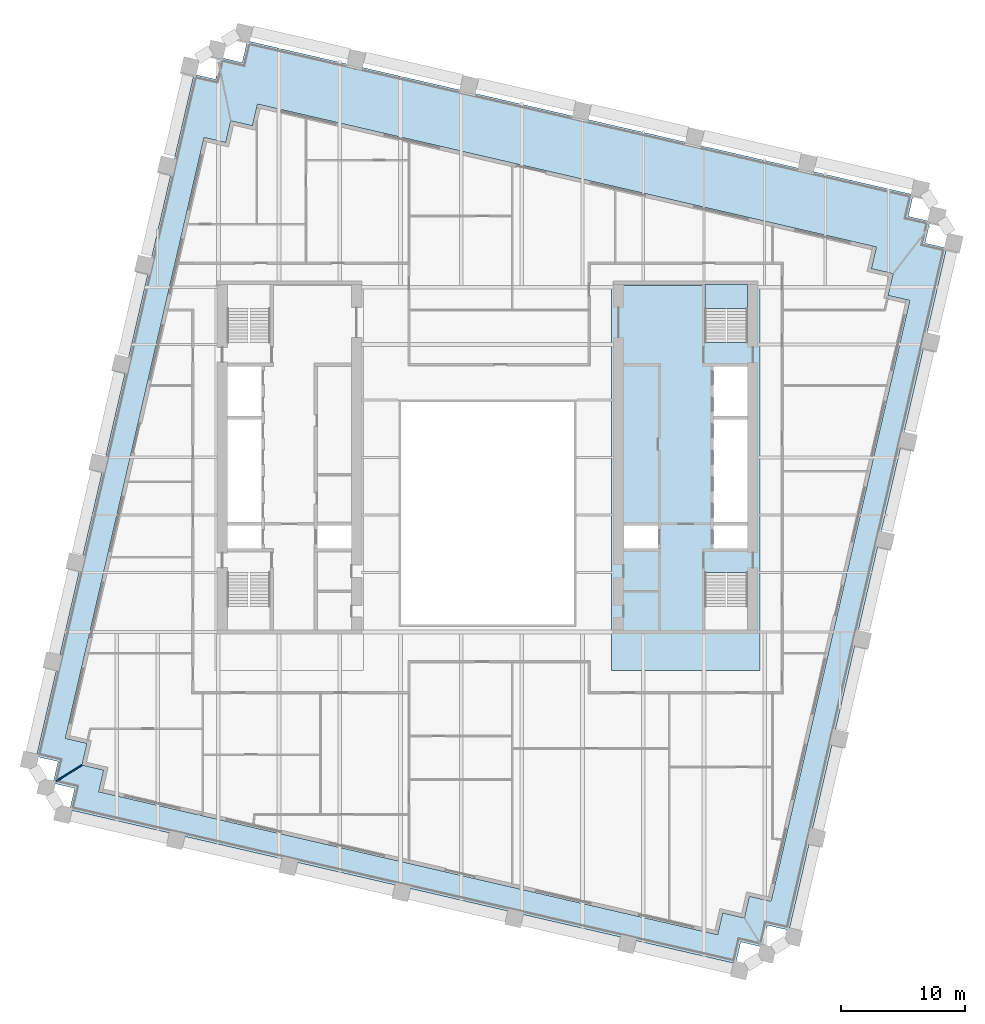
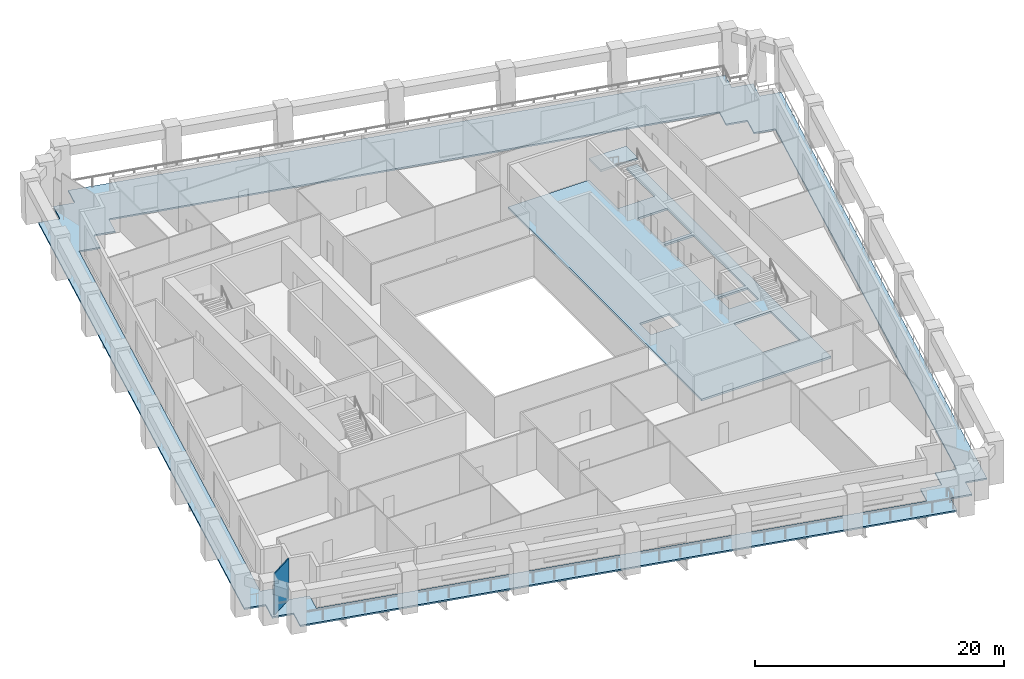
# One storey, part 3 of 12: 3 slabs, 1 wall, 1 element without a shape of its own.
"""IFC4 building model written with IfcOpenShell, lengths in metres."""

from ifc_helpers import new_model, si_unit, direction, frame, frame_2d, origin, place, context, subcontext, project, spatial, polyline, rectangle, outline, extrude, material, layer, layer_set, type_object, element, aggregate, save


model = new_model("IFC4")

# Units and contexts
model_context = context("Model", 3, precision=1e-05, world=origin(), true_north=direction((0.0, 1.0)))
body_context = subcontext(model_context, "Body", "Model", "MODEL_VIEW")
ifc_project = project(units=[si_unit("LENGTHUNIT", "METRE"), si_unit("AREAUNIT", "SQUARE_METRE"), si_unit("VOLUMEUNIT", "CUBIC_METRE"), si_unit("PLANEANGLEUNIT", "RADIAN"), si_unit("MASSUNIT", "GRAM", prefix="KILO")], contexts=[model_context])

# Site, building, storey
site_placement = place(None, origin())
site = spatial("IfcSite", under=ifc_project, at=site_placement, CompositionType="ELEMENT")
building_placement = place(site_placement, origin())
building = spatial("IfcBuilding", under=site, at=building_placement, Name="Ogive Exchange Tower", CompositionType="ELEMENT")
storey_placement = place(building_placement, frame((0.0, 0.0, 130.800048828125)))
storey = spatial("IfcBuildingStorey", under=building, at=storey_placement, Name="L28", CompositionType="ELEMENT", Elevation=130.800048828125)

# Slabs
ifc_material_1 = material(Name="Concrete C70/85", Category="concrete")
ifc_layer_1 = layer(ifc_material_1, 0.199951171875)
ifc_layer_set_1 = layer_set([ifc_layer_1], Name="Core floor slab 200")
slab_type_1 = type_object("IfcSlabType", Name="Core floor slab 200", PredefinedType="FLOOR", material=ifc_layer_set_1)
slab_1_placement = place(storey_placement, frame((0.0, 0.0, -0.199951171875)))
element("IfcSlab", 1, at=slab_1_placement, inside=storey, type_object=slab_type_1, Name="Core floor slab", PredefinedType="FLOOR", context=body_context, shape_type="SweptSolid", body=[
    extrude(outline(polyline([(22.0, 25.39990234375), (22.0, -5.699951171875), (10.0, -5.699951171875), (10.0, 25.39990234375), (17.550048828125, 25.39990234375), (17.550048828125, 20.803955078125), (21.0, 20.803955078125), (21.0, 25.39990234375), (22.0, 25.39990234375)]), holes=[polyline([(21.0, 2.196044921875), (17.550048828125, 2.196044921875), (17.550048828125, -2.449951171875), (21.0, -2.449951171875), (21.0, 2.196044921875)]), polyline([(13.75, 5.992919921875), (11.0, 5.992919921875), (11.0, 4.14990234375), (13.75, 4.14990234375), (13.75, 5.992919921875)]), polyline([(21.0, 5.992919921875), (18.25, 5.992919921875), (18.25, 4.14990234375), (21.0, 4.14990234375), (21.0, 5.992919921875)]), polyline([(18.25, 14.564208984375), (18.25, 6.29296875), (21.0, 6.29296875), (21.0, 14.564208984375), (18.25, 14.564208984375)]), polyline([(21.0, 18.85009765625), (18.25, 18.85009765625), (18.25, 14.8642578125), (21.0, 14.8642578125), (21.0, 18.85009765625)])]), origin(), (0.0, 0.0, 1.0), 0.199951171875),
])
ifc_material_2 = material(Name="Concrete C50/60", Category="concrete")
ifc_layer_2 = layer(ifc_material_2, 0.14990234375)
ifc_layer_set_2 = layer_set([ifc_layer_2], Name="Loggia deck 150")
slab_type_2 = type_object("IfcSlabType", Name="Loggia deck 150", PredefinedType="FLOOR", material=ifc_layer_set_2)
slab_2_placement = place(storey_placement, frame((0.0, 0.0, -0.199951171875)))
element("IfcSlab", 2, at=slab_2_placement, inside=storey, type_object=slab_type_2, Name="Loggia deck", PredefinedType="FLOOR", context=body_context, shape_type="SweptSolid", body=[
    extrude(outline(polyline([(-33.33740234375, -15.20703125), (-35.09130859375, -14.802001953125), (-34.686279296875, -13.04833984375), (-36.440185546875, -12.643310546875), (-23.722412109375, 42.444091796875), (-21.968505859375, 42.0390625), (-21.563720703125, 43.79296875), (-19.809814453125, 43.387939453125), (-19.40478515625, 45.141845703125), (34.38037109375, 32.724609375), (33.9755859375, 30.970703125), (35.7294921875, 30.56591796875), (35.324462890625, 28.81201171875), (37.078369140625, 28.406982421875), (24.3603515625, -26.680419921875), (22.6064453125, -26.275390625), (22.20166015625, -28.029296875), (20.44775390625, -27.62451171875), (20.04296875, -29.378173828125), (-33.742431640625, -16.9609375), (-33.33740234375, -15.20703125)]), holes=[polyline([(18.986328125, -25.28564453125), (20.740234375, -25.690673828125), (21.145263671875, -23.936767578125), (22.89892578125, -24.341552734375), (34.1015625, 24.181884765625), (32.34765625, 24.5869140625), (32.752685546875, 26.3408203125), (30.998779296875, 26.74560546875), (31.40380859375, 28.49951171875), (-18.58154296875, 40.03955078125), (-18.986328125, 38.28564453125), (-20.740234375, 38.690673828125), (-21.145263671875, 36.936767578125), (-22.89892578125, 37.341552734375), (-34.1015625, -11.181884765625), (-32.34765625, -11.5869140625), (-32.752685546875, -13.3408203125), (-30.998779296875, -13.74560546875), (-31.40380859375, -15.49951171875), (18.58154296875, -27.03955078125), (18.986328125, -25.28564453125)])]), origin(), (0.0, 0.0, 1.0), 0.14990234375),
])

# Stair, slab
ifc_material_3 = material(Name="Concrete C40/50", Category="concrete")
stair_type = type_object("IfcStairType", Name="Exit stair 1650 wide", PredefinedType="HALF_TURN_STAIR", material=ifc_material_3)
stair_placement = place(storey_placement, origin())
stair = element("IfcStair", 3, at=stair_placement, inside=storey, type_object=stair_type, Name="L28 exit stair ST4", PredefinedType="HALF_TURN_STAIR")
ifc_layer_3 = layer(ifc_material_3, 0.199951171875)
ifc_layer_set_3 = layer_set([ifc_layer_3], Name="Stair landing 200 slab")
slab_type_3 = type_object("IfcSlabType", Name="Stair landing 200 slab", PredefinedType="LANDING", material=ifc_layer_set_3)
slab_3_placement = place(storey_placement, frame((0.0, 0.0, 1.89990234375)))
slab_3 = element("IfcSlab", 4, at=slab_3_placement, type_object=slab_type_3, Name="ST4 landing 1", PredefinedType="LANDING", context=body_context, shape_type="SweptSolid", body=[
    extrude(outline(polyline([(21.0, 23.550048828125), (21.0, 25.449951171875), (17.550048828125, 25.449951171875), (17.550048828125, 23.550048828125), (21.0, 23.550048828125)])), origin(), (0.0, 0.0, 1.0), 0.199951171875),
])
aggregate(stair, [slab_3])

# Wall
ifc_material_4 = material(Name="Laminated safety glass in steel frame", Category="steel")
ifc_layer_4 = layer(ifc_material_4, 0.10009765625)
ifc_layer_set_4 = layer_set([ifc_layer_4], Name="Loggia end screen 100")
wall_type = type_object("IfcWallType", Name="Loggia end screen 100", PredefinedType="STANDARD", material=ifc_layer_set_4)
wall_placement = place(storey_placement, frame((-32.752685546875, -13.3408203125, -0.050048828125), z_axis=(0.0, 0.0, 1.0), x_axis=(-0.848059759764, -0.529900598103, 0.0)))
element("IfcWall", 5, at=wall_placement, inside=storey, type_object=wall_type, Name="Loggia end screen C4", PredefinedType="STANDARD", context=body_context, shape_type="SweptSolid", body=[
    extrude(rectangle(XDim=2.454833984375, YDim=0.10009765625, at=frame_2d((1.2275390625, 0.0))), origin(), (0.0, 0.0, 1.0), 4.050048828125),
])

save(model, "model.ifc")
